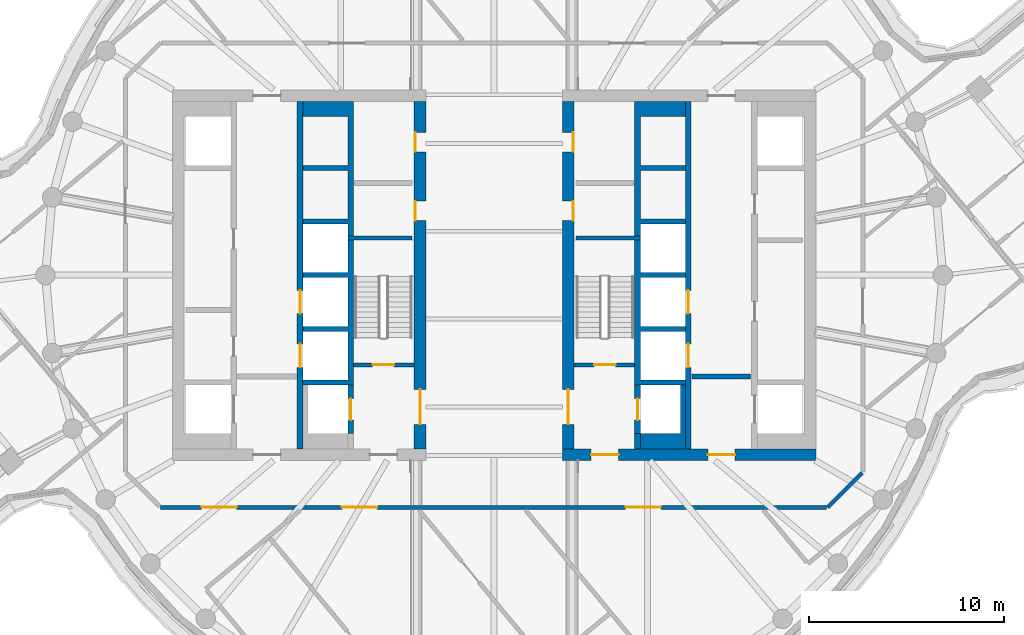
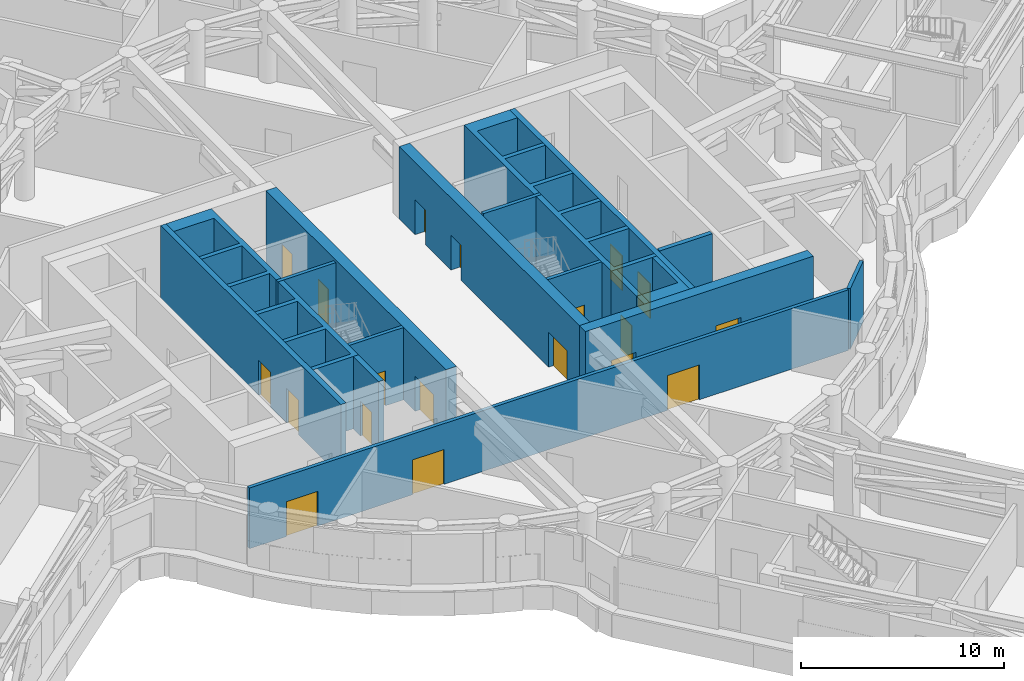
# One storey, part 10 of 22: 19 doors, 18 walls, 19 openings.
"""IFC4 building model written with IfcOpenShell, lengths in metres."""

from ifc_helpers import new_model, si_unit, direction, frame, frame_2d, origin, place, context, subcontext, project, spatial, polyline, rectangle, outline, extrude, material, layer, layer_set, type_object, element, fill, save


model = new_model("IFC4")

# Units and contexts
model_context = context("Model", 3, precision=1e-05, world=origin(), true_north=direction((0.0, 1.0)))
body_context = subcontext(model_context, "Body", "Model", "MODEL_VIEW")
ifc_project = project(units=[si_unit("LENGTHUNIT", "METRE"), si_unit("AREAUNIT", "SQUARE_METRE"), si_unit("VOLUMEUNIT", "CUBIC_METRE"), si_unit("PLANEANGLEUNIT", "RADIAN"), si_unit("MASSUNIT", "GRAM", prefix="KILO")], contexts=[model_context])

# Site, building, storey
site_placement = place(None, origin())
site = spatial("IfcSite", under=ifc_project, at=site_placement, CompositionType="ELEMENT")
building_placement = place(site_placement, origin())
building = spatial("IfcBuilding", under=site, at=building_placement, Name="Tamarind Cross Interchange Tower", CompositionType="ELEMENT")
storey_placement = place(building_placement, frame((0.0, 0.0, 178.0)))
storey = spatial("IfcBuildingStorey", under=building, at=storey_placement, Name="L44", CompositionType="ELEMENT", Elevation=178.0)

# Wall, openings, doors
ifc_material_1 = material(Name="Concrete C60", Category="concrete")
ifc_layer_1 = layer(ifc_material_1, 0.60009765625)
ifc_layer_set_1 = layer_set([ifc_layer_1], Name="Concrete C60")
wall_type_1 = type_object("IfcWallType", Name="Core wall 600 mm Concrete C60", PredefinedType="SHEAR", material=ifc_layer_set_1)
wall_1_placement = place(storey_placement, frame((-3.800048828125, -8.89990234375, 0.0), z_axis=(0.0, 0.0, 1.0), x_axis=(0.0, 1.0, 0.0)))
wall_1 = element("IfcWall", 1, at=wall_1_placement, inside=storey, type_object=wall_type_1, Name="Core wall CWL-L44-W-IN", PredefinedType="SHEAR", context=body_context, shape_type="SweptSolid", body=[
    extrude(rectangle(XDim=17.7998046875, YDim=0.60009765625, at=frame_2d((8.89990234375, 0.0))), origin(), (0.0, 0.0, 1.0), 4.360107421875),
])
opening_1_placement = place(wall_1_placement, frame((1.25, 0.0, 0.0)))
opening_1 = element("IfcOpeningElement", 2, at=opening_1_placement, cuts=wall_1, Name="Opening DCW4", PredefinedType="OPENING", context=body_context, shape_type="SweptSolid", body=[
    extrude(rectangle(XDim=1.800048828125, YDim=2.10009765625, at=frame_2d((0.89990234375, 1.050048828125))), frame((0.0, 0.31005859375, 0.0), z_axis=(0.0, -1.0, 0.0), x_axis=(1.0, 0.0, 0.0)), (0.0, 0.0, 1.0), 0.6201171875),
])
opening_2_placement = place(wall_1_placement, frame((11.697509765625, 0.0, 0.0)))
opening_2 = element("IfcOpeningElement", 3, at=opening_2_placement, cuts=wall_1, Name="Opening DCW5", PredefinedType="OPENING", context=body_context, shape_type="SweptSolid", body=[
    extrude(rectangle(XDim=1.0, YDim=2.10009765625, at=frame_2d((0.5, 1.050048828125))), frame((0.0, 0.31005859375, 0.0), z_axis=(0.0, -1.0, 0.0), x_axis=(1.0, 0.0, 0.0)), (0.0, 0.0, 1.0), 0.6201171875),
])
opening_3_placement = place(wall_1_placement, frame((15.222412109375, 0.0, 0.0)))
opening_3 = element("IfcOpeningElement", 4, at=opening_3_placement, cuts=wall_1, Name="Opening DCW5", PredefinedType="OPENING", context=body_context, shape_type="SweptSolid", body=[
    extrude(rectangle(XDim=1.0, YDim=2.10009765625, at=frame_2d((0.5, 1.050048828125))), frame((0.0, 0.31005859375, 0.0), z_axis=(0.0, -1.0, 0.0), x_axis=(1.0, 0.0, 0.0)), (0.0, 0.0, 1.0), 0.6201171875),
])
ifc_material_2 = material(Name="Steel, fire-resisting", Category="steel")
door_type_1 = type_object("IfcDoorType", Name="Core fire door 1000 x 2100 FD90", OperationType="SINGLE_SWING_LEFT", PredefinedType="DOOR", material=ifc_material_2)
door_1_placement = place(opening_2_placement, origin())
door_1 = element("IfcDoor", 5, at=door_1_placement, inside=storey, type_object=door_type_1, Name="L44 plant store door", OperationType="SINGLE_SWING_LEFT", OverallHeight=2.10009765625, OverallWidth=1.0, PredefinedType="DOOR", context=body_context, shape_type="SweptSolid", body=[
    extrude(rectangle(XDim=1.0, YDim=2.10009765625, at=frame_2d((0.5, 1.050048828125))), frame((0.0, 0.27490234375, 0.0), z_axis=(0.0, -1.0, 0.0), x_axis=(1.0, 0.0, 0.0)), (0.0, 0.0, 1.0), 0.050048828125),
])
fill(opening_2, door_1)
door_2_placement = place(opening_3_placement, origin())
door_2 = element("IfcDoor", 6, at=door_2_placement, inside=storey, type_object=door_type_1, Name="L44 break tank and pump room door", OperationType="SINGLE_SWING_LEFT", OverallHeight=2.10009765625, OverallWidth=1.0, PredefinedType="DOOR", context=body_context, shape_type="SweptSolid", body=[
    extrude(rectangle(XDim=1.0, YDim=2.10009765625, at=frame_2d((0.5, 1.050048828125))), frame((0.0, 0.27490234375, 0.0), z_axis=(0.0, -1.0, 0.0), x_axis=(1.0, 0.0, 0.0)), (0.0, 0.0, 1.0), 0.050048828125),
])
fill(opening_3, door_2)
door_type_2 = type_object("IfcDoorType", Name="Core fire door 1800 x 2100 FD90", OperationType="SINGLE_SWING_LEFT", PredefinedType="DOOR", material=ifc_material_2)
door_3_placement = place(opening_1_placement, origin())
door_3 = element("IfcDoor", 7, at=door_3_placement, inside=storey, type_object=door_type_2, Name="L44 firefighting lobby door", OperationType="SINGLE_SWING_LEFT", OverallHeight=2.10009765625, OverallWidth=1.800048828125, PredefinedType="DOOR", context=body_context, shape_type="SweptSolid", body=[
    extrude(rectangle(XDim=1.800048828125, YDim=2.10009765625, at=frame_2d((0.89990234375, 1.050048828125))), frame((0.0, 0.02490234375, 0.0), z_axis=(0.0, -1.0, 0.0), x_axis=(1.0, 0.0, 0.0)), (0.0, 0.0, 1.0), 0.050048828125),
])
fill(opening_1, door_3)

wall_2_placement = place(storey_placement, frame((16.5, -9.199951171875, 0.0), z_axis=(0.0, 0.0, 1.0), x_axis=(-1.0, 0.0, 0.0)))
wall_2 = element("IfcWall", 8, at=wall_2_placement, inside=storey, type_object=wall_type_1, Name="Core wall CWL-L44-E-S", PredefinedType="SHEAR", context=body_context, shape_type="SweptSolid", body=[
    extrude(rectangle(XDim=13.0, YDim=0.60009765625, at=frame_2d((6.5, 0.0))), origin(), (0.0, 0.0, 1.0), 4.360107421875),
])
opening_4_placement = place(wall_2_placement, frame((4.14990234375, 0.0, 0.0)))
opening_4 = element("IfcOpeningElement", 9, at=opening_4_placement, cuts=wall_2, Name="Opening DCE1", PredefinedType="OPENING", context=body_context, shape_type="SweptSolid", body=[
    extrude(rectangle(XDim=1.39990234375, YDim=2.10009765625, at=frame_2d((0.699951171875, 1.050048828125))), frame((0.0, 0.31005859375, 0.0), z_axis=(0.0, -1.0, 0.0), x_axis=(1.0, 0.0, 0.0)), (0.0, 0.0, 1.0), 0.6201171875),
])
opening_5_placement = place(wall_2_placement, frame((10.125, 0.0, 0.0)))
opening_5 = element("IfcOpeningElement", 10, at=opening_5_placement, cuts=wall_2, Name="Opening DCEF", PredefinedType="OPENING", context=body_context, shape_type="SweptSolid", body=[
    extrude(rectangle(XDim=1.39990234375, YDim=2.10009765625, at=frame_2d((0.699951171875, 1.050048828125))), frame((0.0, 0.31005859375, 0.0), z_axis=(0.0, -1.0, 0.0), x_axis=(1.0, 0.0, 0.0)), (0.0, 0.0, 1.0), 0.6201171875),
])
door_type_3 = type_object("IfcDoorType", Name="Core fire door 1400 x 2100 FD90", OperationType="SINGLE_SWING_LEFT", PredefinedType="DOOR", material=ifc_material_2)
door_4_placement = place(opening_4_placement, origin())
door_4 = element("IfcDoor", 11, at=door_4_placement, inside=storey, type_object=door_type_3, Name="L44 lift lobby door", OperationType="SINGLE_SWING_LEFT", OverallHeight=2.10009765625, OverallWidth=1.39990234375, PredefinedType="DOOR", context=body_context, shape_type="SweptSolid", body=[
    extrude(rectangle(XDim=1.39990234375, YDim=2.10009765625, at=frame_2d((0.699951171875, 1.050048828125))), frame((0.0, 0.02490234375, 0.0), z_axis=(0.0, -1.0, 0.0), x_axis=(1.0, 0.0, 0.0)), (0.0, 0.0, 1.0), 0.050048828125),
])
fill(opening_4, door_4)
door_5_placement = place(opening_5_placement, origin())
door_5 = element("IfcDoor", 12, at=door_5_placement, inside=storey, type_object=door_type_3, Name="L44 firefighting lobby end door", OperationType="SINGLE_SWING_LEFT", OverallHeight=2.10009765625, OverallWidth=1.39990234375, PredefinedType="DOOR", context=body_context, shape_type="SweptSolid", body=[
    extrude(rectangle(XDim=1.39990234375, YDim=2.10009765625, at=frame_2d((0.699951171875, 1.050048828125))), frame((0.0, 0.02490234375, 0.0), z_axis=(0.0, -1.0, 0.0), x_axis=(1.0, 0.0, 0.0)), (0.0, 0.0, 1.0), 0.050048828125),
])
fill(opening_5, door_5)

wall_3_placement = place(storey_placement, frame((3.800048828125, -8.89990234375, 0.0), z_axis=(0.0, 0.0, 1.0), x_axis=(0.0, 1.0, 0.0)))
wall_3 = element("IfcWall", 13, at=wall_3_placement, inside=storey, type_object=wall_type_1, Name="Core wall CWL-L44-E-IN", PredefinedType="SHEAR", context=body_context, shape_type="SweptSolid", body=[
    extrude(rectangle(XDim=17.7998046875, YDim=0.60009765625, at=frame_2d((8.89990234375, 0.0))), origin(), (0.0, 0.0, 1.0), 4.360107421875),
])
opening_6_placement = place(wall_3_placement, frame((1.25, 0.0, 0.0)))
opening_6 = element("IfcOpeningElement", 14, at=opening_6_placement, cuts=wall_3, Name="Opening DCE4", PredefinedType="OPENING", context=body_context, shape_type="SweptSolid", body=[
    extrude(rectangle(XDim=1.800048828125, YDim=2.10009765625, at=frame_2d((0.89990234375, 1.050048828125))), frame((0.0, 0.31005859375, 0.0), z_axis=(0.0, -1.0, 0.0), x_axis=(1.0, 0.0, 0.0)), (0.0, 0.0, 1.0), 0.6201171875),
])
opening_7_placement = place(wall_3_placement, frame((11.697509765625, 0.0, 0.0)))
opening_7 = element("IfcOpeningElement", 15, at=opening_7_placement, cuts=wall_3, Name="Opening DCE5", PredefinedType="OPENING", context=body_context, shape_type="SweptSolid", body=[
    extrude(rectangle(XDim=1.0, YDim=2.10009765625, at=frame_2d((0.5, 1.050048828125))), frame((0.0, 0.31005859375, 0.0), z_axis=(0.0, -1.0, 0.0), x_axis=(1.0, 0.0, 0.0)), (0.0, 0.0, 1.0), 0.6201171875),
])
opening_8_placement = place(wall_3_placement, frame((15.222412109375, 0.0, 0.0)))
opening_8 = element("IfcOpeningElement", 16, at=opening_8_placement, cuts=wall_3, Name="Opening DCE5", PredefinedType="OPENING", context=body_context, shape_type="SweptSolid", body=[
    extrude(rectangle(XDim=1.0, YDim=2.10009765625, at=frame_2d((0.5, 1.050048828125))), frame((0.0, 0.31005859375, 0.0), z_axis=(0.0, -1.0, 0.0), x_axis=(1.0, 0.0, 0.0)), (0.0, 0.0, 1.0), 0.6201171875),
])
door_6_placement = place(opening_7_placement, origin())
door_6 = element("IfcDoor", 17, at=door_6_placement, inside=storey, type_object=door_type_1, Name="L44 plant store door", OperationType="SINGLE_SWING_LEFT", OverallHeight=2.10009765625, OverallWidth=1.0, PredefinedType="DOOR", context=body_context, shape_type="SweptSolid", body=[
    extrude(rectangle(XDim=1.0, YDim=2.10009765625, at=frame_2d((0.5, 1.050048828125))), frame((0.0, -0.22509765625, 0.0), z_axis=(0.0, -1.0, 0.0), x_axis=(1.0, 0.0, 0.0)), (0.0, 0.0, 1.0), 0.050048828125),
])
fill(opening_7, door_6)
door_7_placement = place(opening_8_placement, origin())
door_7 = element("IfcDoor", 18, at=door_7_placement, inside=storey, type_object=door_type_1, Name="L44 pump store door", OperationType="SINGLE_SWING_LEFT", OverallHeight=2.10009765625, OverallWidth=1.0, PredefinedType="DOOR", context=body_context, shape_type="SweptSolid", body=[
    extrude(rectangle(XDim=1.0, YDim=2.10009765625, at=frame_2d((0.5, 1.050048828125))), frame((0.0, -0.22509765625, 0.0), z_axis=(0.0, -1.0, 0.0), x_axis=(1.0, 0.0, 0.0)), (0.0, 0.0, 1.0), 0.050048828125),
])
fill(opening_8, door_7)
door_8_placement = place(opening_6_placement, origin())
door_8 = element("IfcDoor", 19, at=door_8_placement, inside=storey, type_object=door_type_2, Name="L44 firefighting lobby door", OperationType="SINGLE_SWING_LEFT", OverallHeight=2.10009765625, OverallWidth=1.800048828125, PredefinedType="DOOR", context=body_context, shape_type="SweptSolid", body=[
    extrude(rectangle(XDim=1.800048828125, YDim=2.10009765625, at=frame_2d((0.89990234375, 1.050048828125))), frame((0.0, 0.02490234375, 0.0), z_axis=(0.0, -1.0, 0.0), x_axis=(1.0, 0.0, 0.0)), (0.0, 0.0, 1.0), 0.050048828125),
])
fill(opening_6, door_8)

# Walls
ifc_layer_2 = layer(ifc_material_1, 0.199951171875)
ifc_layer_set_2 = layer_set([ifc_layer_2], Name="Concrete C60")
wall_type_2 = type_object("IfcWallType", Name="Core web wall 200 mm Concrete C60", PredefinedType="SHEAR", material=ifc_layer_set_2)
for number, where, z_axis, x_axis, name in (
    (20, (-7.5, 1.89990234375, 0.0), (0.0, 0.0, 1.0), (1.0, 0.0, 0.0), "Core wall CWL-L44-W-BD"),
    (21, (7.5, 1.89990234375, 0.0), (0.0, 0.0, 1.0), (-1.0, 0.0, 0.0), "Core wall CWL-L44-E-BD"),
):
    element("IfcWall", number, at=place(storey_placement, frame(where, z_axis=z_axis, x_axis=x_axis)), inside=storey, type_object=wall_type_2, Name=name, PredefinedType="SHEAR", context=body_context, shape_type="SweptSolid", body=[
        extrude(rectangle(XDim=3.300048828125, YDim=0.199951171875, at=frame_2d((1.64990234375, 0.0))), origin(), (0.0, 0.0, 1.0), 4.360107421875),
    ])
ifc_layer_3 = layer(ifc_material_1, 0.300048828125)
ifc_layer_set_3 = layer_set([ifc_layer_3], Name="Concrete C60")
wall_type_3 = type_object("IfcWallType", Name="Core web wall 300 mm Concrete C60", PredefinedType="SHEAR", material=ifc_layer_set_3)
wall_4_placement = place(storey_placement, origin())
element("IfcWall", 22, at=wall_4_placement, inside=storey, type_object=wall_type_3, Name="Core wall CWL-L44-W-BN", PredefinedType="SHEAR", context=body_context, shape_type="SweptSolid", body=[
    extrude(outline(polyline([(-9.800048828125, -5.375), (-9.800048828125, -5.625), (-7.5, -5.625), (-7.199951171875, -5.625), (-7.199951171875, 8.89990234375), (-7.5, 8.89990234375), (-9.800048828125, 8.89990234375), (-9.800048828125, 8.125), (-7.5, 8.125), (-7.5, 5.625), (-9.800048828125, 5.625), (-9.800048828125, 5.375), (-7.5, 5.375), (-7.5, 2.875), (-9.800048828125, 2.875), (-9.800048828125, 2.625), (-7.5, 2.625), (-7.5, 0.125), (-9.800048828125, 0.125), (-9.800048828125, -0.125), (-7.5, -0.125), (-7.5, -2.625), (-9.800048828125, -2.625), (-9.800048828125, -2.875), (-7.5, -2.875), (-7.5, -5.375), (-9.800048828125, -5.375)])), origin(), (0.0, 0.0, 1.0), 4.360107421875),
])

# Wall, openings, doors
wall_5_placement = place(storey_placement, frame((-9.949951171875, -8.89990234375, 0.0), z_axis=(0.0, 0.0, 1.0), x_axis=(0.0, 1.0, 0.0)))
wall_5 = element("IfcWall", 23, at=wall_5_placement, inside=storey, type_object=wall_type_3, Name="Core wall CWL-L44-W-LB", PredefinedType="SHEAR", context=body_context, shape_type="SweptSolid", body=[
    extrude(rectangle(XDim=17.7998046875, YDim=0.300048828125, at=frame_2d((8.89990234375, 0.0))), origin(), (0.0, 0.0, 1.0), 4.360107421875),
])
opening_9_placement = place(wall_5_placement, frame((4.175048828125, 0.0, 0.0)))
opening_9 = element("IfcOpeningElement", 24, at=opening_9_placement, cuts=wall_5, Name="Opening LD8L44", PredefinedType="OPENING", context=body_context, shape_type="SweptSolid", body=[
    extrude(rectangle(XDim=1.199951171875, YDim=2.10009765625, at=frame_2d((0.60009765625, 1.050048828125))), frame((0.0, 0.159912109375, 0.0), z_axis=(0.0, -1.0, 0.0), x_axis=(1.0, 0.0, 0.0)), (0.0, 0.0, 1.0), 0.320068359375),
])
opening_10_placement = place(wall_5_placement, frame((6.925048828125, 0.0, 0.0)))
opening_10 = element("IfcOpeningElement", 25, at=opening_10_placement, cuts=wall_5, Name="Opening LD9L44", PredefinedType="OPENING", context=body_context, shape_type="SweptSolid", body=[
    extrude(rectangle(XDim=1.199951171875, YDim=2.10009765625, at=frame_2d((0.60009765625, 1.050048828125))), frame((0.0, 0.159912109375, 0.0), z_axis=(0.0, -1.0, 0.0), x_axis=(1.0, 0.0, 0.0)), (0.0, 0.0, 1.0), 0.320068359375),
])
ifc_material_3 = material(Name="Stainless steel panel", Category="steel")
door_type_4 = type_object("IfcDoorType", Name="Lift landing door 1200 x 2100 E 120", OperationType="SLIDING_TO_LEFT", PredefinedType="DOOR", material=ifc_material_3)
door_9_placement = place(opening_9_placement, origin())
door_9 = element("IfcDoor", 26, at=door_9_placement, inside=storey, type_object=door_type_4, Name="L44 landing door LF8", OperationType="SLIDING_TO_LEFT", OverallHeight=2.10009765625, OverallWidth=1.199951171875, PredefinedType="DOOR", context=body_context, shape_type="SweptSolid", body=[
    extrude(rectangle(XDim=1.199951171875, YDim=2.10009765625, at=frame_2d((0.60009765625, 1.050048828125))), frame((0.0, 0.02490234375, 0.0), z_axis=(0.0, -1.0, 0.0), x_axis=(1.0, 0.0, 0.0)), (0.0, 0.0, 1.0), 0.050048828125),
])
fill(opening_9, door_9)
door_10_placement = place(opening_10_placement, origin())
door_10 = element("IfcDoor", 27, at=door_10_placement, inside=storey, type_object=door_type_4, Name="L44 landing door LF9", OperationType="SLIDING_TO_LEFT", OverallHeight=2.10009765625, OverallWidth=1.199951171875, PredefinedType="DOOR", context=body_context, shape_type="SweptSolid", body=[
    extrude(rectangle(XDim=1.199951171875, YDim=2.10009765625, at=frame_2d((0.60009765625, 1.050048828125))), frame((0.0, 0.02490234375, 0.0), z_axis=(0.0, -1.0, 0.0), x_axis=(1.0, 0.0, 0.0)), (0.0, 0.0, 1.0), 0.050048828125),
])
fill(opening_10, door_10)

# Wall, opening, door
wall_6_placement = place(storey_placement, frame((-7.35009765625, -8.125, 0.0), z_axis=(0.0, 0.0, 1.0), x_axis=(0.0, 1.0, 0.0)))
wall_6 = element("IfcWall", 28, at=wall_6_placement, inside=storey, type_object=wall_type_3, Name="Core wall CWL-L44-W-FF", PredefinedType="SHEAR", context=body_context, shape_type="SweptSolid", body=[
    extrude(rectangle(XDim=2.5, YDim=0.300048828125, at=frame_2d((1.25, 0.0))), origin(), (0.0, 0.0, 1.0), 4.360107421875),
])
opening_11_placement = place(wall_6_placement, frame((0.699951171875, 0.0, 0.0)))
opening_11 = element("IfcOpeningElement", 29, at=opening_11_placement, cuts=wall_6, Name="Opening LD7L44", PredefinedType="OPENING", context=body_context, shape_type="SweptSolid", body=[
    extrude(rectangle(XDim=1.10009765625, YDim=2.10009765625, at=frame_2d((0.550048828125, 1.050048828125))), frame((0.0, 0.159912109375, 0.0), z_axis=(0.0, -1.0, 0.0), x_axis=(1.0, 0.0, 0.0)), (0.0, 0.0, 1.0), 0.320068359375),
])
door_type_5 = type_object("IfcDoorType", Name="Lift landing door 1100 x 2100 E 120", OperationType="SLIDING_TO_LEFT", PredefinedType="DOOR", material=ifc_material_3)
door_11_placement = place(opening_11_placement, origin())
door_11 = element("IfcDoor", 30, at=door_11_placement, inside=storey, type_object=door_type_5, Name="L44 landing door LF7", OperationType="SLIDING_TO_LEFT", OverallHeight=2.10009765625, OverallWidth=1.10009765625, PredefinedType="DOOR", context=body_context, shape_type="SweptSolid", body=[
    extrude(rectangle(XDim=1.10009765625, YDim=2.10009765625, at=frame_2d((0.550048828125, 1.050048828125))), frame((0.0, 0.02490234375, 0.0), z_axis=(0.0, -1.0, 0.0), x_axis=(1.0, 0.0, 0.0)), (0.0, 0.0, 1.0), 0.050048828125),
])
fill(opening_11, door_11)

# Walls
wall_7_placement = place(storey_placement, origin())
element("IfcWall", 31, at=wall_7_placement, inside=storey, type_object=wall_type_3, Name="Core wall CWL-L44-E-BN", PredefinedType="SHEAR", context=body_context, shape_type="SweptSolid", body=[
    extrude(outline(polyline([(9.800048828125, -5.375), (7.5, -5.375), (7.5, -2.875), (9.800048828125, -2.875), (9.800048828125, -2.625), (7.5, -2.625), (7.5, -0.125), (9.800048828125, -0.125), (9.800048828125, 0.125), (7.5, 0.125), (7.5, 2.625), (9.800048828125, 2.625), (9.800048828125, 2.875), (7.5, 2.875), (7.5, 5.375), (9.800048828125, 5.375), (9.800048828125, 5.625), (7.5, 5.625), (7.5, 8.125), (9.800048828125, 8.125), (9.800048828125, 8.89990234375), (7.5, 8.89990234375), (7.199951171875, 8.89990234375), (7.199951171875, -5.625), (7.5, -5.625), (9.800048828125, -5.625), (9.800048828125, -5.375)])), origin(), (0.0, 0.0, 1.0), 4.360107421875),
])
wall_8_placement = place(storey_placement, origin())
element("IfcWall", 32, at=wall_8_placement, inside=storey, type_object=wall_type_3, Name="Core wall CWL-L44-E-BS", PredefinedType="SHEAR", context=body_context, shape_type="SweptSolid", body=[
    extrude(outline(polyline([(7.5, -8.125), (7.5, -8.89990234375), (9.800048828125, -8.89990234375), (9.800048828125, -8.125), (9.800048828125, -5.625), (9.550048828125, -5.625), (9.550048828125, -8.125), (7.5, -8.125)])), origin(), (0.0, 0.0, 1.0), 4.360107421875),
])
wall_9_placement = place(storey_placement, frame((7.35009765625, -8.89990234375, 0.0), z_axis=(0.0, 0.0, 1.0), x_axis=(0.0, 1.0, 0.0)))
element("IfcWall", 33, at=wall_9_placement, inside=storey, type_object=wall_type_3, Name="Core wall CWL-L44-E-BW", PredefinedType="SHEAR", context=body_context, shape_type="SweptSolid", body=[
    extrude(rectangle(XDim=0.77490234375, YDim=0.300048828125, at=frame_2d((0.387451171875, 0.0))), origin(), (0.0, 0.0, 1.0), 4.360107421875),
])

# Wall, openings, doors
wall_10_placement = place(storey_placement, frame((9.949951171875, -8.89990234375, 0.0), z_axis=(0.0, 0.0, 1.0), x_axis=(0.0, 1.0, 0.0)))
wall_10 = element("IfcWall", 34, at=wall_10_placement, inside=storey, type_object=wall_type_3, Name="Core wall CWL-L44-E-LB", PredefinedType="SHEAR", context=body_context, shape_type="SweptSolid", body=[
    extrude(rectangle(XDim=17.7998046875, YDim=0.300048828125, at=frame_2d((8.89990234375, 0.0))), origin(), (0.0, 0.0, 1.0), 4.360107421875),
])
opening_12_placement = place(wall_10_placement, frame((4.175048828125, 0.0, 0.0)))
opening_12 = element("IfcOpeningElement", 35, at=opening_12_placement, cuts=wall_10, Name="Opening LD20L44", PredefinedType="OPENING", context=body_context, shape_type="SweptSolid", body=[
    extrude(rectangle(XDim=1.199951171875, YDim=2.10009765625, at=frame_2d((0.60009765625, 1.050048828125))), frame((0.0, 0.159912109375, 0.0), z_axis=(0.0, -1.0, 0.0), x_axis=(1.0, 0.0, 0.0)), (0.0, 0.0, 1.0), 0.320068359375),
])
opening_13_placement = place(wall_10_placement, frame((6.925048828125, 0.0, 0.0)))
opening_13 = element("IfcOpeningElement", 36, at=opening_13_placement, cuts=wall_10, Name="Opening LD21L44", PredefinedType="OPENING", context=body_context, shape_type="SweptSolid", body=[
    extrude(rectangle(XDim=1.199951171875, YDim=2.10009765625, at=frame_2d((0.60009765625, 1.050048828125))), frame((0.0, 0.159912109375, 0.0), z_axis=(0.0, -1.0, 0.0), x_axis=(1.0, 0.0, 0.0)), (0.0, 0.0, 1.0), 0.320068359375),
])
door_12_placement = place(opening_12_placement, origin())
door_12 = element("IfcDoor", 37, at=door_12_placement, inside=storey, type_object=door_type_4, Name="L44 landing door LF20", OperationType="SLIDING_TO_LEFT", OverallHeight=2.10009765625, OverallWidth=1.199951171875, PredefinedType="DOOR", context=body_context, shape_type="SweptSolid", body=[
    extrude(rectangle(XDim=1.199951171875, YDim=2.10009765625, at=frame_2d((0.60009765625, 1.050048828125))), frame((0.0, 0.02490234375, 0.0), z_axis=(0.0, -1.0, 0.0), x_axis=(1.0, 0.0, 0.0)), (0.0, 0.0, 1.0), 0.050048828125),
])
fill(opening_12, door_12)
door_13_placement = place(opening_13_placement, origin())
door_13 = element("IfcDoor", 38, at=door_13_placement, inside=storey, type_object=door_type_4, Name="L44 landing door LF21", OperationType="SLIDING_TO_LEFT", OverallHeight=2.10009765625, OverallWidth=1.199951171875, PredefinedType="DOOR", context=body_context, shape_type="SweptSolid", body=[
    extrude(rectangle(XDim=1.199951171875, YDim=2.10009765625, at=frame_2d((0.60009765625, 1.050048828125))), frame((0.0, 0.02490234375, 0.0), z_axis=(0.0, -1.0, 0.0), x_axis=(1.0, 0.0, 0.0)), (0.0, 0.0, 1.0), 0.050048828125),
])
fill(opening_13, door_13)

# Wall, opening, door
wall_11_placement = place(storey_placement, frame((7.35009765625, -8.125, 0.0), z_axis=(0.0, 0.0, 1.0), x_axis=(0.0, 1.0, 0.0)))
wall_11 = element("IfcWall", 39, at=wall_11_placement, inside=storey, type_object=wall_type_3, Name="Core wall CWL-L44-E-FF", PredefinedType="SHEAR", context=body_context, shape_type="SweptSolid", body=[
    extrude(rectangle(XDim=2.5, YDim=0.300048828125, at=frame_2d((1.25, 0.0))), origin(), (0.0, 0.0, 1.0), 4.360107421875),
])
opening_14_placement = place(wall_11_placement, frame((0.699951171875, 0.0, 0.0)))
opening_14 = element("IfcOpeningElement", 40, at=opening_14_placement, cuts=wall_11, Name="Opening LD19L44", PredefinedType="OPENING", context=body_context, shape_type="SweptSolid", body=[
    extrude(rectangle(XDim=1.10009765625, YDim=2.10009765625, at=frame_2d((0.550048828125, 1.050048828125))), frame((0.0, 0.159912109375, 0.0), z_axis=(0.0, -1.0, 0.0), x_axis=(1.0, 0.0, 0.0)), (0.0, 0.0, 1.0), 0.320068359375),
])
door_14_placement = place(opening_14_placement, origin())
door_14 = element("IfcDoor", 41, at=door_14_placement, inside=storey, type_object=door_type_5, Name="L44 landing door LF19", OperationType="SLIDING_TO_LEFT", OverallHeight=2.10009765625, OverallWidth=1.10009765625, PredefinedType="DOOR", context=body_context, shape_type="SweptSolid", body=[
    extrude(rectangle(XDim=1.10009765625, YDim=2.10009765625, at=frame_2d((0.550048828125, 1.050048828125))), frame((0.0, 0.02490234375, 0.0), z_axis=(0.0, -1.0, 0.0), x_axis=(1.0, 0.0, 0.0)), (0.0, 0.0, 1.0), 0.050048828125),
])
fill(opening_14, door_14)

# Wall, openings, doors
ifc_material_4 = material(Name="Gypsum board partition on steel studs", Category="steel")
ifc_layer_4 = layer(ifc_material_4, 0.199951171875)
ifc_layer_set_4 = layer_set([ifc_layer_4], Name="Gypsum board partition on steel studs")
wall_type_4 = type_object("IfcWallType", Name="Partition 200 mm EI 180", PredefinedType="PARTITIONING", material=ifc_layer_set_4)
wall_12_placement = place(storey_placement, frame((-17.10009765625, -11.89990234375, 0.0), z_axis=(0.0, 0.0, 1.0), x_axis=(1.0, 0.0, 0.0)))
wall_12 = element("IfcWall", 42, at=wall_12_placement, inside=storey, type_object=wall_type_4, Name="Partition L44-034", PredefinedType="PARTITIONING", context=body_context, shape_type="SweptSolid", body=[
    extrude(rectangle(XDim=34.14501953125, YDim=0.199951171875, at=frame_2d((17.072509765625, 0.0))), origin(), (0.0, 0.0, 1.0), 3.659912109375),
])
opening_15_placement = place(wall_12_placement, frame((9.298095703125, 0.0, 0.0)))
opening_15 = element("IfcOpeningElement", 43, at=opening_15_placement, cuts=wall_12, Name="Opening D17", PredefinedType="OPENING", context=body_context, shape_type="SweptSolid", body=[
    extrude(rectangle(XDim=1.800048828125, YDim=2.10009765625, at=frame_2d((0.89990234375, 1.050048828125))), frame((0.0, 0.10986328125, 0.0), z_axis=(0.0, -1.0, 0.0), x_axis=(1.0, 0.0, 0.0)), (0.0, 0.0, 1.0), 0.219970703125),
])
opening_16_placement = place(wall_12_placement, frame((2.10009765625, 0.0, 0.0)))
opening_16 = element("IfcOpeningElement", 44, at=opening_16_placement, cuts=wall_12, Name="Opening D18", PredefinedType="OPENING", context=body_context, shape_type="SweptSolid", body=[
    extrude(rectangle(XDim=1.800048828125, YDim=2.10009765625, at=frame_2d((0.89990234375, 1.050048828125))), frame((0.0, 0.10986328125, 0.0), z_axis=(0.0, -1.0, 0.0), x_axis=(1.0, 0.0, 0.0)), (0.0, 0.0, 1.0), 0.219970703125),
])
opening_17_placement = place(wall_12_placement, frame((23.842041015625, 0.0, 0.0)))
opening_17 = element("IfcOpeningElement", 45, at=opening_17_placement, cuts=wall_12, Name="Opening D19", PredefinedType="OPENING", context=body_context, shape_type="SweptSolid", body=[
    extrude(rectangle(XDim=1.800048828125, YDim=2.10009765625, at=frame_2d((0.89990234375, 1.050048828125))), frame((0.0, 0.10986328125, 0.0), z_axis=(0.0, -1.0, 0.0), x_axis=(1.0, 0.0, 0.0)), (0.0, 0.0, 1.0), 0.219970703125),
])
ifc_material_5 = material(Name="Fire-resisting door set")
door_type_6 = type_object("IfcDoorType", Name="Interior door 1800 x 2100 FD120S", OperationType="DOUBLE_DOOR_SINGLE_SWING", PredefinedType="DOOR", material=ifc_material_5)
door_15_placement = place(opening_15_placement, origin())
door_15 = element("IfcDoor", 46, at=door_15_placement, inside=storey, type_object=door_type_6, Name="Door D17", OperationType="DOUBLE_DOOR_SINGLE_SWING", OverallHeight=2.10009765625, OverallWidth=1.800048828125, PredefinedType="DOOR", context=body_context, shape_type="SweptSolid", body=[
    extrude(rectangle(XDim=1.800048828125, YDim=2.10009765625, at=frame_2d((0.89990234375, 1.050048828125))), frame((0.0, 0.02490234375, 0.0), z_axis=(0.0, -1.0, 0.0), x_axis=(1.0, 0.0, 0.0)), (0.0, 0.0, 1.0), 0.050048828125),
])
fill(opening_15, door_15)
door_16_placement = place(opening_16_placement, frame((1.800048828125, 0.0, 0.0), z_axis=(0.0, 0.0, 1.0), x_axis=(-1.0, 0.0, 0.0)))
door_16 = element("IfcDoor", 47, at=door_16_placement, inside=storey, type_object=door_type_6, Name="Door D18", OperationType="DOUBLE_DOOR_SINGLE_SWING", OverallHeight=2.10009765625, OverallWidth=1.800048828125, PredefinedType="DOOR", context=body_context, shape_type="SweptSolid", body=[
    extrude(rectangle(XDim=1.800048828125, YDim=2.10009765625, at=frame_2d((0.89990234375, 1.050048828125))), frame((0.0, 0.02490234375, 0.0), z_axis=(0.0, -1.0, 0.0), x_axis=(1.0, 0.0, 0.0)), (0.0, 0.0, 1.0), 0.050048828125),
])
fill(opening_16, door_16)
door_17_placement = place(opening_17_placement, frame((1.800048828125, 0.0, 0.0), z_axis=(0.0, 0.0, 1.0), x_axis=(-1.0, 0.0, 0.0)))
door_17 = element("IfcDoor", 48, at=door_17_placement, inside=storey, type_object=door_type_6, Name="Door D19", OperationType="DOUBLE_DOOR_SINGLE_SWING", OverallHeight=2.10009765625, OverallWidth=1.800048828125, PredefinedType="DOOR", context=body_context, shape_type="SweptSolid", body=[
    extrude(rectangle(XDim=1.800048828125, YDim=2.10009765625, at=frame_2d((0.89990234375, 1.050048828125))), frame((0.0, 0.02490234375, 0.0), z_axis=(0.0, -1.0, 0.0), x_axis=(1.0, 0.0, 0.0)), (0.0, 0.0, 1.0), 0.050048828125),
])
fill(opening_17, door_17)

# Walls
wall_13_placement = place(storey_placement, frame((17.10009765625, -11.89990234375, 0.0), z_axis=(0.0, 0.0, 1.0), x_axis=(0.707106781187, 0.707106781187, 0.0)))
element("IfcWall", 49, at=wall_13_placement, inside=storey, type_object=wall_type_4, Name="Partition L44-069", PredefinedType="PARTITIONING", context=body_context, shape_type="SweptSolid", body=[
    extrude(rectangle(XDim=2.485595703125, YDim=0.199951171875, at=frame_2d((1.24267578125, 0.0))), origin(), (0.0, 0.0, 1.0), 3.659912109375),
])
ifc_material_6 = material(Name="Concrete C40", Category="concrete")
ifc_layer_5 = layer(ifc_material_6, 0.25)
ifc_layer_set_5 = layer_set([ifc_layer_5], Name="Concrete C40")
wall_type_5 = type_object("IfcWallType", Name="Shaft and lobby wall 250 mm Concrete C40", PredefinedType="PARTITIONING", material=ifc_layer_set_5)
wall_14_placement = place(storey_placement, frame((13.14990234375, -5.199951171875, 0.0), z_axis=(0.0, 0.0, 1.0), x_axis=(-1.0, 0.0, 0.0)))
element("IfcWall", 50, at=wall_14_placement, inside=storey, type_object=wall_type_5, Name="Shaft wall CWL-L44-E-EVP", PredefinedType="PARTITIONING", context=body_context, shape_type="SweptSolid", body=[
    extrude(rectangle(XDim=3.0, YDim=0.25, at=frame_2d((1.5, 0.0))), origin(), (0.0, 0.0, 1.0), 4.360107421875),
])

# Wall, opening, door
ifc_layer_6 = layer(ifc_material_6, 0.199951171875)
ifc_layer_set_6 = layer_set([ifc_layer_6], Name="Concrete C40")
wall_type_6 = type_object("IfcWallType", Name="Stair shaft wall 200 mm Concrete C40", PredefinedType="SHEAR", material=ifc_layer_set_6)
wall_15_placement = place(storey_placement, frame((-7.199951171875, -4.60009765625, 0.0), z_axis=(0.0, 0.0, 1.0), x_axis=(1.0, 0.0, 0.0)))
wall_15 = element("IfcWall", 51, at=wall_15_placement, inside=storey, type_object=wall_type_6, Name="Core wall CWL-L44-W-SD", PredefinedType="SHEAR", context=body_context, shape_type="SweptSolid", body=[
    extrude(rectangle(XDim=3.099853515625, YDim=0.199951171875, at=frame_2d((1.5498046875, 0.0))), origin(), (0.0, 0.0, 1.0), 4.360107421875),
])
opening_18_placement = place(wall_15_placement, frame((0.97509765625, 0.0, 0.0)))
opening_18 = element("IfcOpeningElement", 52, at=opening_18_placement, cuts=wall_15, Name="Opening DCW6", PredefinedType="OPENING", context=body_context, shape_type="SweptSolid", body=[
    extrude(rectangle(XDim=1.10009765625, YDim=2.10009765625, at=frame_2d((0.550048828125, 1.050048828125))), frame((0.0, 0.10986328125, 0.0), z_axis=(0.0, -1.0, 0.0), x_axis=(1.0, 0.0, 0.0)), (0.0, 0.0, 1.0), 0.219970703125),
])
door_type_7 = type_object("IfcDoorType", Name="Core fire door 1100 x 2100 FD90", OperationType="SINGLE_SWING_LEFT", PredefinedType="DOOR", material=ifc_material_2)
door_18_placement = place(opening_18_placement, origin())
door_18 = element("IfcDoor", 53, at=door_18_placement, inside=storey, type_object=door_type_7, Name="L44 stair door", OperationType="SINGLE_SWING_LEFT", OverallHeight=2.10009765625, OverallWidth=1.10009765625, PredefinedType="DOOR", context=body_context, shape_type="SweptSolid", body=[
    extrude(rectangle(XDim=1.10009765625, YDim=2.10009765625, at=frame_2d((0.550048828125, 1.050048828125))), frame((0.0, 0.02490234375, 0.0), z_axis=(0.0, -1.0, 0.0), x_axis=(1.0, 0.0, 0.0)), (0.0, 0.0, 1.0), 0.050048828125),
])
fill(opening_18, door_18)

wall_16_placement = place(storey_placement, frame((7.199951171875, -4.60009765625, 0.0), z_axis=(0.0, 0.0, 1.0), x_axis=(-1.0, 0.0, 0.0)))
wall_16 = element("IfcWall", 54, at=wall_16_placement, inside=storey, type_object=wall_type_6, Name="Core wall CWL-L44-E-SD", PredefinedType="SHEAR", context=body_context, shape_type="SweptSolid", body=[
    extrude(rectangle(XDim=3.099853515625, YDim=0.199951171875, at=frame_2d((1.5498046875, 0.0))), origin(), (0.0, 0.0, 1.0), 4.360107421875),
])
opening_19_placement = place(wall_16_placement, frame((0.97509765625, 0.0, 0.0)))
opening_19 = element("IfcOpeningElement", 55, at=opening_19_placement, cuts=wall_16, Name="Opening DCE6", PredefinedType="OPENING", context=body_context, shape_type="SweptSolid", body=[
    extrude(rectangle(XDim=1.10009765625, YDim=2.10009765625, at=frame_2d((0.550048828125, 1.050048828125))), frame((0.0, 0.10986328125, 0.0), z_axis=(0.0, -1.0, 0.0), x_axis=(1.0, 0.0, 0.0)), (0.0, 0.0, 1.0), 0.219970703125),
])
door_19_placement = place(opening_19_placement, origin())
door_19 = element("IfcDoor", 56, at=door_19_placement, inside=storey, type_object=door_type_7, Name="L44 stair door", OperationType="SINGLE_SWING_LEFT", OverallHeight=2.10009765625, OverallWidth=1.10009765625, PredefinedType="DOOR", context=body_context, shape_type="SweptSolid", body=[
    extrude(rectangle(XDim=1.10009765625, YDim=2.10009765625, at=frame_2d((0.550048828125, 1.050048828125))), frame((0.0, 0.02490234375, 0.0), z_axis=(0.0, -1.0, 0.0), x_axis=(1.0, 0.0, 0.0)), (0.0, 0.0, 1.0), 0.050048828125),
])
fill(opening_19, door_19)

save(model, "model.ifc")
